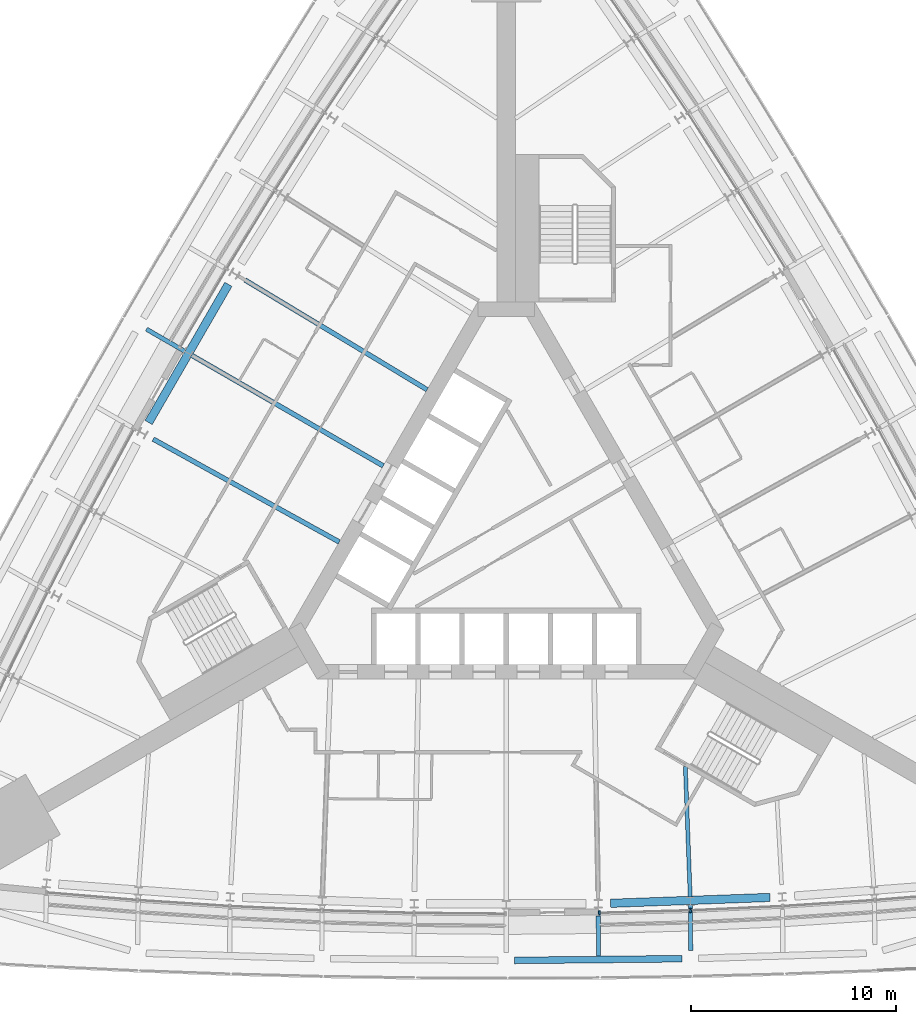
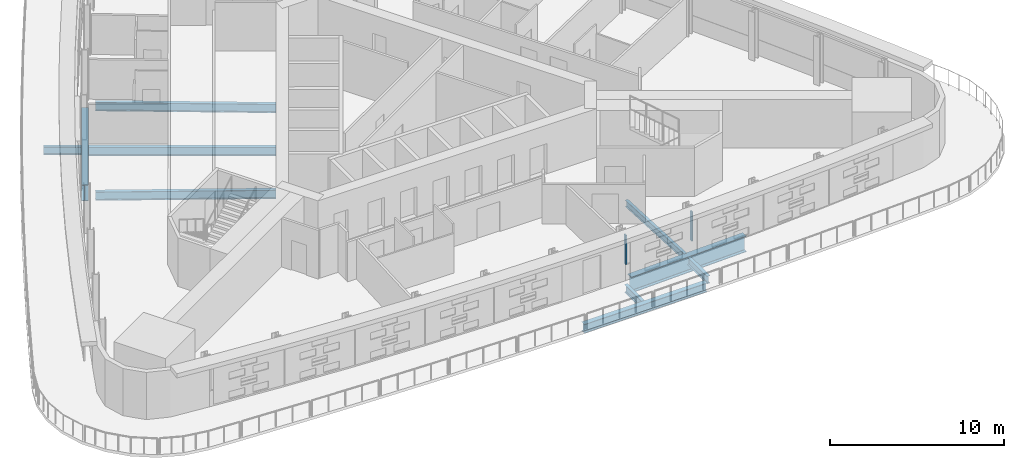
# One storey, part 3 of 14: 10 beams, 2 members, 1 element without a shape of its own.
"""IFC4 building model written with IfcOpenShell, lengths in metres."""

import ifcopenshell
import ifcopenshell.guid

model = None  # the IFC model being written
_history = None  # IfcOwnerHistory: only IFC2X3 demands one
_inside = {}  # id of a spatial element -> (the spatial element, [elements in it])
_under = {}  # id of a project, library or spatial element -> (it, [spatial elements below it])
_declared = {}  # id of a project -> (the project, [libraries it declares])
_typed = {}  # id of a type object -> (the type object, [elements of that type])
_made_of = {}  # id of a material, layer set ... -> (it, [elements and type objects made of it])


def new_model(schema):
    """Start an empty IFC model of exactly this schema.

    Asked for "IFC4X3", IfcOpenShell would pick the latest addendum, in which some entities
    have other attributes; the version numbers below select the first issue.
    IFC2X3 requires an IfcOwnerHistory on every rooted entity: one is made here for all.
    """
    global model, _history
    if schema == "IFC4X3":
        model = ifcopenshell.file(schema_version=(4, 3, 0, 0))
    else:
        model = ifcopenshell.file(schema=schema)
    _inside.clear()
    _under.clear()
    _declared.clear()
    _typed.clear()
    _made_of.clear()
    _history = None
    if model.schema == "IFC2X3":
        org = make("IfcOrganization", Name="unknown")
        user = make(
            "IfcPersonAndOrganization",
            ThePerson=make("IfcPerson", FamilyName="unknown"),
            TheOrganization=org,
        )
        app = make(
            "IfcApplication",
            ApplicationDeveloper=org,
            Version="unknown",
            ApplicationFullName="unknown",
            ApplicationIdentifier="unknown",
        )
        _history = make(
            "IfcOwnerHistory",
            OwningUser=user,
            OwningApplication=app,
            ChangeAction="ADDED",
            CreationDate=0,
        )
    return model


def make(cls, **values):
    """One entity of the class cls with the attributes given. An attribute that is None is left unset."""
    return model.create_entity(
        cls, **{name: value for name, value in values.items() if value is not None}
    )


def rooted(cls, **values):
    """An entity with a GlobalId (a new one), such as an element, a storey or a relation."""
    return make(cls, GlobalId=ifcopenshell.guid.new(), OwnerHistory=_history, **values)


def si_unit(unit_type, name, prefix=None):
    """IfcSIUnit, for example si_unit("LENGTHUNIT", "METRE", prefix="MILLI")."""
    return make("IfcSIUnit", UnitType=unit_type, Prefix=prefix, Name=name)


def assignment(units):
    """IfcUnitAssignment: the units of a project."""
    return None if units is None else make("IfcUnitAssignment", Units=units)


def point(xyz):
    """IfcCartesianPoint."""
    return None if xyz is None else make("IfcCartesianPoint", Coordinates=xyz)


def direction(xyz):
    """IfcDirection."""
    return None if xyz is None else make("IfcDirection", DirectionRatios=xyz)


def frame(location, z_axis=None, x_axis=None):
    """IfcAxis2Placement3D, a coordinate frame: its origin and axes. An axis left out is left unset."""
    return make(
        "IfcAxis2Placement3D",
        Location=point(location),
        Axis=direction(z_axis),
        RefDirection=direction(x_axis),
    )


def frame_2d(location, x_axis=None):
    """IfcAxis2Placement2D, a coordinate frame in the plane: its origin and x axis."""
    return make(
        "IfcAxis2Placement2D", Location=point(location), RefDirection=direction(x_axis)
    )


def origin():
    """The frame at (0, 0, 0) with its axes left unset."""
    return frame((0.0, 0.0, 0.0))


def origin_2d():
    """The frame at (0, 0) in the plane with its x axis left unset."""
    return frame_2d((0.0, 0.0))


def place(relative_to, where):
    """IfcLocalPlacement: puts the frame where relative to a parent placement (None: the world)."""
    return make(
        "IfcLocalPlacement", PlacementRelTo=relative_to, RelativePlacement=where
    )


def context(
    kind, dimensions, precision=None, world=None, true_north=None, identifier=None
):
    """IfcGeometricRepresentationContext, for example the 3D "Model" context."""
    return make(
        "IfcGeometricRepresentationContext",
        ContextIdentifier=identifier,
        ContextType=kind,
        CoordinateSpaceDimension=dimensions,
        Precision=precision,
        WorldCoordinateSystem=world,
        TrueNorth=true_north,
    )


def subcontext(parent, identifier, kind, view, scale=None):
    """IfcGeometricRepresentationSubContext, for example "Body" below "Model"."""
    return make(
        "IfcGeometricRepresentationSubContext",
        ContextIdentifier=identifier,
        ContextType=kind,
        ParentContext=parent,
        TargetScale=scale,
        TargetView=view,
    )


def project(units=None, contexts=None):
    """IfcProject with its units and contexts."""
    return rooted(
        "IfcProject",
        Name="project",
        RepresentationContexts=contexts,
        UnitsInContext=assignment(units),
    )


def spatial(cls, under=None, at=None, **own):
    """A site, building, storey or space (cls), placed at a placement, below another one or the project."""
    s = rooted(cls, ObjectPlacement=at, **own)
    if under is not None:
        _under.setdefault(under.id(), (under, []))[1].append(s)
    return s


def profile(cls, at=None, kind="AREA", **sizes):
    """A parametric profile (cls). Its sizes go by their IFC names, for example OverallWidth=200.0."""
    return make(cls, ProfileType=kind, Position=at, **sizes)


def rectangle(**sizes):
    """IfcRectangleProfileDef."""
    return profile("IfcRectangleProfileDef", **sizes)


def i_section(**sizes):
    """IfcIShapeProfileDef."""
    return profile("IfcIShapeProfileDef", **sizes)


def extrude(swept, where, along, depth):
    """IfcExtrudedAreaSolid: the profile swept, set in the frame where, extruded along a direction by depth."""
    return make(
        "IfcExtrudedAreaSolid",
        SweptArea=swept,
        Position=where,
        ExtrudedDirection=direction(along),
        Depth=depth,
    )


def shape(context_of_items, identifier, shape_type, items):
    """IfcShapeRepresentation: the items that make up one representation, for example the "Body"."""
    return make(
        "IfcShapeRepresentation",
        ContextOfItems=context_of_items,
        RepresentationIdentifier=identifier,
        RepresentationType=shape_type,
        Items=items,
    )


def material(Name=None, Category=None):
    """IfcMaterial."""
    return make("IfcMaterial", Name=Name, Category=Category)


def material_profile(
    of_material, cross_section, Name=None, Category=None, Priority=None
):
    """IfcMaterialProfile: a cross section and its material."""
    return make(
        "IfcMaterialProfile",
        Name=Name,
        Material=of_material,
        Profile=cross_section,
        Priority=Priority,
        Category=Category,
    )


def profile_set(profiles, Name=None, composite=None):
    """IfcMaterialProfileSet."""
    return make(
        "IfcMaterialProfileSet",
        Name=Name,
        MaterialProfiles=profiles,
        CompositeProfile=composite,
    )


def made_of(thing, what):
    """Note that an element or type object is made of a material, layer set ...; save() writes the relation."""
    if what is not None:
        _made_of.setdefault(what.id(), (what, []))[1].append(thing)
    return thing


def type_object(cls, material=None, **own):
    """A type object (cls), such as IfcWallType, which elements share."""
    return made_of(rooted(cls, **own), material)


def element(
    cls,
    number,
    at=None,
    inside=None,
    cuts=None,
    type_object=None,
    material=None,
    context=None,
    identifier="Body",
    shape_type=None,
    held_by="IfcProductDefinitionShape",
    body=None,
    shapes=None,
    **own,
):
    """One element of the class cls, such as IfcWall. Its Tag is "e" and its number.

    at: its placement. inside: the storey or other place that contains it. cuts: it is an
    opening in that element (IfcRelVoidsElement). A single representation is given by context,
    identifier, shape_type and body (its items); several are given by shapes. held_by: the class
    of the entity that holds the representations. save() writes the other relations.
    """
    e = rooted(cls, Tag="e%d" % number, ObjectPlacement=at, **own)
    if body is not None:
        shapes = [shape(context, identifier, shape_type, body)]
    if shapes is not None:
        e.Representation = make(held_by, Representations=shapes)
    if inside is not None:
        _inside.setdefault(inside.id(), (inside, []))[1].append(e)
    if cuts is not None:
        rooted(
            "IfcRelVoidsElement", RelatingBuildingElement=cuts, RelatedOpeningElement=e
        )
    if type_object is not None:
        _typed.setdefault(type_object.id(), (type_object, []))[1].append(e)
    return made_of(e, material)


def aggregate(whole, parts):
    """IfcRelAggregates: a whole, such as a stair, and the parts it consists of."""
    return rooted("IfcRelAggregates", RelatingObject=whole, RelatedObjects=parts)


def save(model, path):
    """Write the relations noted so far, then the file.

    IfcRelAggregates (storeys below a building ...), IfcRelContainedInSpatialStructure (elements
    in a storey), IfcRelDefinesByType, IfcRelAssociatesMaterial and IfcRelDeclares: one each for
    every whole, place, type object, material and project.
    """
    for whole, parts in _under.values():
        aggregate(whole, parts)
    for where, things in _inside.values():
        rooted(
            "IfcRelContainedInSpatialStructure",
            RelatedElements=things,
            RelatingStructure=where,
        )
    for kind, things in _typed.values():
        rooted("IfcRelDefinesByType", RelatedObjects=things, RelatingType=kind)
    for what, things in _made_of.values():
        rooted("IfcRelAssociatesMaterial", RelatedObjects=things, RelatingMaterial=what)
    for by, libraries in _declared.values():
        rooted("IfcRelDeclares", RelatingContext=by, RelatedDefinitions=libraries)
    model.write(path)


model = new_model("IFC4")

# Units and contexts
model_context = context("Model", 3, precision=1e-05, world=origin(), true_north=direction((0.0, 1.0)))
body_context = subcontext(model_context, "Body", "Model", "MODEL_VIEW")
ifc_project = project(units=[si_unit("LENGTHUNIT", "METRE"), si_unit("AREAUNIT", "SQUARE_METRE"), si_unit("VOLUMEUNIT", "CUBIC_METRE"), si_unit("PLANEANGLEUNIT", "RADIAN"), si_unit("MASSUNIT", "GRAM", prefix="KILO")], contexts=[model_context])

# Site, building, storey
site_placement = place(None, origin())
site = spatial("IfcSite", under=ifc_project, at=site_placement, CompositionType="ELEMENT")
building_placement = place(site_placement, origin())
building = spatial("IfcBuilding", under=site, at=building_placement, Name="Noor Cloister Tower", CompositionType="ELEMENT")
storey_placement = place(building_placement, frame((0.0, 0.0, 24.0)))
storey = spatial("IfcBuildingStorey", under=building, at=storey_placement, Name="L05", CompositionType="ELEMENT", Elevation=24.0)

# Curtain wall, members
ifc_material_1 = material(Name="Aluminium 6063-T6 anodised", Category="aluminium")
curtain_wall_type = type_object("IfcCurtainWallType", Name="Ribbon curtain wall, lower tower CW1", PredefinedType="NOTDEFINED", material=ifc_material_1)
curtain_wall_placement = place(storey_placement, origin())
curtain_wall = element("IfcCurtainWall", 1, at=curtain_wall_placement, inside=storey, type_object=curtain_wall_type, Name="CW1 L05 S run 5", PredefinedType="NOTDEFINED")
ifc_material_2 = material(Name="Aluminium 6063-T6 anodised", Category="aluminium")
ifc_material_profile_1 = material_profile(ifc_material_2, rectangle(XDim=0.199951171875, YDim=0.080078125, at=origin_2d()), Name="200 x 80 mullion")
ifc_profile_set_1 = profile_set([ifc_material_profile_1], Name="Aluminium 6063-T6 anodised")
member_type = type_object("IfcMemberType", Name="Mullion CW1 80 x 200", PredefinedType="MULLION", material=ifc_profile_set_1)
member_1_placement = place(storey_placement, frame((4.536865234375, -18.34033203125, 1.10009765625), z_axis=(0.0, 0.0, 1.0), x_axis=(-0.027827253101, 0.99961274701, 0.0)))
member_1 = element("IfcMember", 2, at=member_1_placement, type_object=member_type, Name="CW1 mullion 1", PredefinedType="MULLION", context=body_context, shape_type="SweptSolid", body=[
    extrude(rectangle(XDim=0.199951171875, YDim=0.080078125, at=origin_2d()), origin(), (0.0, 0.0, 1.0), 2.0498046875),
])
member_2_placement = place(storey_placement, frame((8.994140625, -18.21630859375, 1.10009765625), z_axis=(0.0, 0.0, 1.0), x_axis=(-0.037099278712, 0.999311584802, 0.0)))
member_2 = element("IfcMember", 3, at=member_2_placement, type_object=member_type, Name="CW1 mullion 2", PredefinedType="MULLION", context=body_context, shape_type="SweptSolid", body=[
    extrude(rectangle(XDim=0.199951171875, YDim=0.080078125, at=origin_2d()), origin(), (0.0, 0.0, 1.0), 2.0498046875),
])
aggregate(curtain_wall, [member_1, member_2])

# Beams
ifc_material_3 = material(Name="Steel ASTM A992 Gr 50", Category="steel")
ifc_material_profile_2 = material_profile(ifc_material_3, i_section(OverallWidth=0.324951171875, OverallDepth=0.616943359375, WebThickness=0.013916015625, FlangeThickness=0.021484375, FilletRadius=0.0126953125, at=origin_2d()), Name="W610x174")
ifc_profile_set_2 = profile_set([ifc_material_profile_2], Name="Steel ASTM A992 Gr 50")
beam_type_1 = type_object("IfcBeamType", Name="Podium perimeter beam W610x174", PredefinedType="BEAM", material=ifc_profile_set_2)
beam_1_placement = place(storey_placement, frame((0.39990234375, -20.653076171875, -0.508544921875), z_axis=(0.999947297246, 0.010266583204, 0.0), x_axis=(-0.010266583204, 0.999947297246, 0.0)))
element("IfcBeam", 4, at=beam_1_placement, inside=storey, type_object=beam_type_1, Name="Podium perimeter beam 10 L05", PredefinedType="BEAM", context=body_context, shape_type="SweptSolid", body=[
    extrude(i_section(OverallWidth=0.324951171875, OverallDepth=0.616943359375, WebThickness=0.013916015625, FlangeThickness=0.021484375, FilletRadius=0.0126953125, at=origin_2d()), origin(), (0.0, 0.0, 1.0), 8.180419921875),
])
ifc_material_4 = material(Name="Steel ASTM A992 Gr 50", Category="steel")
ifc_material_profile_3 = material_profile(ifc_material_4, i_section(OverallWidth=0.208984375, OverallDepth=0.532958984375, WebThickness=0.01025390625, FlangeThickness=0.015625, FilletRadius=0.0126953125, at=origin_2d()), Name="W530x92")
ifc_profile_set_3 = profile_set([ifc_material_profile_3], Name="Steel ASTM A992 Gr 50")
beam_type_2 = type_object("IfcBeamType", Name="Podium stub beam W530x92", PredefinedType="BEAM", material=ifc_profile_set_3)
beam_2_placement = place(storey_placement, frame((-15.66943359375, 9.046875, -0.466552734375), z_axis=(-0.866033383358, 0.499986178718, 0.0), x_axis=(-0.499986178718, -0.866033383358, 0.0)))
element("IfcBeam", 5, at=beam_2_placement, inside=storey, type_object=beam_type_2, Name="Podium stub beam NW 05 L05", PredefinedType="BEAM", context=body_context, shape_type="SweptSolid", body=[
    extrude(i_section(OverallWidth=0.208984375, OverallDepth=0.532958984375, WebThickness=0.01025390625, FlangeThickness=0.015625, FilletRadius=0.0126953125, at=origin_2d()), origin(), (0.0, 0.0, 1.0), 2.16357421875),
])
beam_3_placement = place(storey_placement, frame((4.4912109375, -18.49169921875, -0.466552734375), z_axis=(0.002869607648, -0.999995882667, 0.0), x_axis=(0.999995882667, 0.002869607648, 0.0)))
element("IfcBeam", 6, at=beam_3_placement, inside=storey, type_object=beam_type_2, Name="Podium stub beam S 06 L05", PredefinedType="BEAM", context=body_context, shape_type="SweptSolid", body=[
    extrude(i_section(OverallWidth=0.208984375, OverallDepth=0.532958984375, WebThickness=0.01025390625, FlangeThickness=0.015625, FilletRadius=0.0126953125, at=origin_2d()), origin(), (0.0, 0.0, 1.0), 1.956787109375),
])
beam_4_placement = place(storey_placement, frame((8.978515625, -17.927001953125, -0.466552734375), z_axis=(0.005782142048, -0.999983283277, 0.0), x_axis=(0.999983283277, 0.005782142048, 0.0)))
element("IfcBeam", 7, at=beam_4_placement, inside=storey, type_object=beam_type_2, Name="Podium stub beam S 07 L05", PredefinedType="BEAM", context=body_context, shape_type="SweptSolid", body=[
    extrude(i_section(OverallWidth=0.208984375, OverallDepth=0.532958984375, WebThickness=0.01025390625, FlangeThickness=0.015625, FilletRadius=0.0126953125, at=origin_2d()), origin(), (0.0, 0.0, 1.0), 2.23779296875),
])
ifc_material_5 = material(Name="Steel ASTM A992 Gr 50", Category="steel")
ifc_material_profile_4 = material_profile(ifc_material_5, i_section(OverallWidth=0.19091796875, OverallDepth=0.45703125, WebThickness=0.009033203125, FlangeThickness=0.014404296875, FilletRadius=0.01025390625, at=origin_2d()), Name="W460x74")
ifc_profile_set_4 = profile_set([ifc_material_profile_4], Name="Steel ASTM A992 Gr 50")
beam_type_3 = type_object("IfcBeamType", Name="Radial beam W460x74", PredefinedType="BEAM", material=ifc_profile_set_4)
beam_5_placement = place(storey_placement, frame((8.969970703125, -17.564697265625, -0.428466796875), z_axis=(-0.037088263209, 0.99931199369, 0.0), x_axis=(-0.99931199369, -0.037088263209, 0.0)))
element("IfcBeam", 8, at=beam_5_placement, inside=storey, type_object=beam_type_3, Name="Radial beam S 08 L05", PredefinedType="BEAM", context=body_context, shape_type="SweptSolid", body=[
    extrude(i_section(OverallWidth=0.19091796875, OverallDepth=0.45703125, WebThickness=0.009033203125, FlangeThickness=0.014404296875, FilletRadius=0.01025390625, at=origin_2d()), origin(), (0.0, 0.0, 1.0), 6.365478515625),
])
ifc_material_6 = material(Name="Steel ASTM A992 Gr 50", Category="steel")
ifc_material_profile_5 = material_profile(ifc_material_6, i_section(OverallWidth=0.22802734375, OverallDepth=0.60205078125, WebThickness=0.010498046875, FlangeThickness=0.014892578125, FilletRadius=0.0126953125, at=origin_2d()), Name="W610x101")
ifc_profile_set_5 = profile_set([ifc_material_profile_5], Name="Steel ASTM A992 Gr 50")
beam_type_4 = type_object("IfcBeamType", Name="Radial beam W610x101", PredefinedType="BEAM", material=ifc_profile_set_5)
beam_6_placement = place(storey_placement, frame((-12.73583984375, 12.524169921875, -0.5009765625), z_axis=(0.856606308575, -0.515970572911, 0.0), x_axis=(0.515970572911, 0.856606308575, 0.0)))
element("IfcBeam", 9, at=beam_6_placement, inside=storey, type_object=beam_type_4, Name="Radial beam NW 05 L05", PredefinedType="BEAM", context=body_context, shape_type="SweptSolid", body=[
    extrude(i_section(OverallWidth=0.22802734375, OverallDepth=0.60205078125, WebThickness=0.010498046875, FlangeThickness=0.014892578125, FilletRadius=0.0126953125, at=origin_2d()), origin(), (0.0, 0.0, 1.0), 10.365234375),
])
beam_7_placement = place(storey_placement, frame((-17.214111328125, 4.767333984375, -0.5009765625), z_axis=(0.875152039929, -0.483848020568, 0.0), x_axis=(0.483848020568, 0.875152039929, 0.0)))
element("IfcBeam", 10, at=beam_7_placement, inside=storey, type_object=beam_type_4, Name="Radial beam NW 07 L05", PredefinedType="BEAM", context=body_context, shape_type="SweptSolid", body=[
    extrude(i_section(OverallWidth=0.22802734375, OverallDepth=0.60205078125, WebThickness=0.010498046875, FlangeThickness=0.014892578125, FilletRadius=0.0126953125, at=origin_2d()), origin(), (0.0, 0.0, 1.0), 10.364990234375),
])
ifc_material_7 = material(Name="Steel ASTM A992 Gr 50", Category="steel")
ifc_material_profile_6 = material_profile(ifc_material_7, i_section(OverallWidth=0.22900390625, OverallDepth=0.612060546875, WebThickness=0.011962890625, FlangeThickness=0.01953125, FilletRadius=0.0126953125, at=origin_2d()), Name="W610x125")
ifc_profile_set_6 = profile_set([ifc_material_profile_6], Name="Steel ASTM A992 Gr 50")
beam_type_5 = type_object("IfcBeamType", Name="Radial beam W610x125", PredefinedType="BEAM", material=ifc_profile_set_6)
beam_8_placement = place(storey_placement, frame((-15.355712890625, 8.865478515625, -0.506103515625), z_axis=(0.866031663374, -0.499989157916, 0.0), x_axis=(0.499989157916, 0.866031663374, 0.0)))
element("IfcBeam", 11, at=beam_8_placement, inside=storey, type_object=beam_type_5, Name="Radial beam NW 06 L05", PredefinedType="BEAM", context=body_context, shape_type="SweptSolid", body=[
    extrude(i_section(OverallWidth=0.22900390625, OverallDepth=0.612060546875, WebThickness=0.011962890625, FlangeThickness=0.01953125, FilletRadius=0.0126953125, at=origin_2d()), origin(), (0.0, 0.0, 1.0), 10.802978515625),
])
ifc_material_8 = material(Name="Steel ASTM A992 Gr 50", Category="steel")
ifc_material_profile_7 = material_profile(ifc_material_8, i_section(OverallWidth=0.404052734375, OverallDepth=1.1201171875, WebThickness=0.026123046875, FlangeThickness=0.044921875, FilletRadius=0.02001953125, at=origin_2d()), Name="W1100x499")
ifc_profile_set_7 = profile_set([ifc_material_profile_7], Name="Steel ASTM A992 Gr 50")
beam_type_6 = type_object("IfcBeamType", Name="Transfer girder W1100x499", PredefinedType="BEAM", material=ifc_profile_set_7)
for number, where, z_axis, x_axis, name in (
    (12, (-13.5498046875, 12.314208984375, -0.760009765625), (-0.499990506207, -0.866030884959, 0.0), (0.866030884959, -0.499990506207, 0.0), "Transfer girder 03"),
    (13, (5.089111328125, -17.869140625, -0.760009765625), (0.999311691731, 0.037096398343, 0.0), (-0.037096398343, 0.999311691731, 0.0), "Transfer girder 09"),
):
    element("IfcBeam", number, at=place(storey_placement, frame(where, z_axis=z_axis, x_axis=x_axis)), inside=storey, type_object=beam_type_6, Name=name, PredefinedType="BEAM", context=body_context, shape_type="SweptSolid", body=[
        extrude(i_section(OverallWidth=0.404052734375, OverallDepth=1.1201171875, WebThickness=0.026123046875, FlangeThickness=0.044921875, FilletRadius=0.02001953125, at=origin_2d()), origin(), (0.0, 0.0, 1.0), 7.779052734375),
    ])

save(model, "model.ifc")
